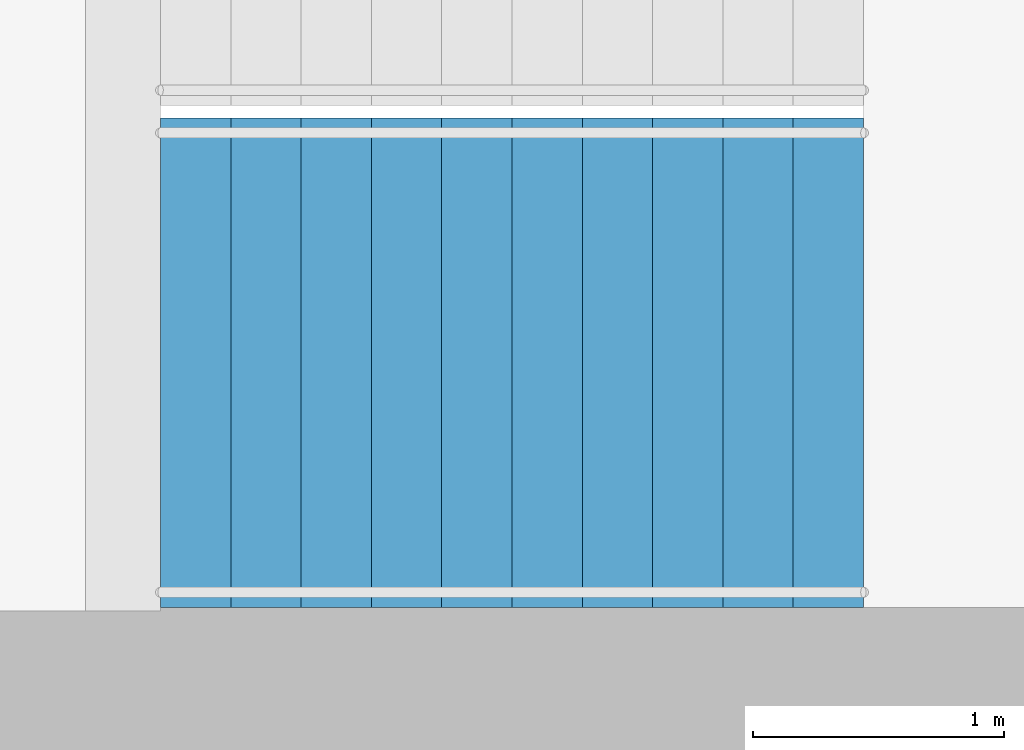
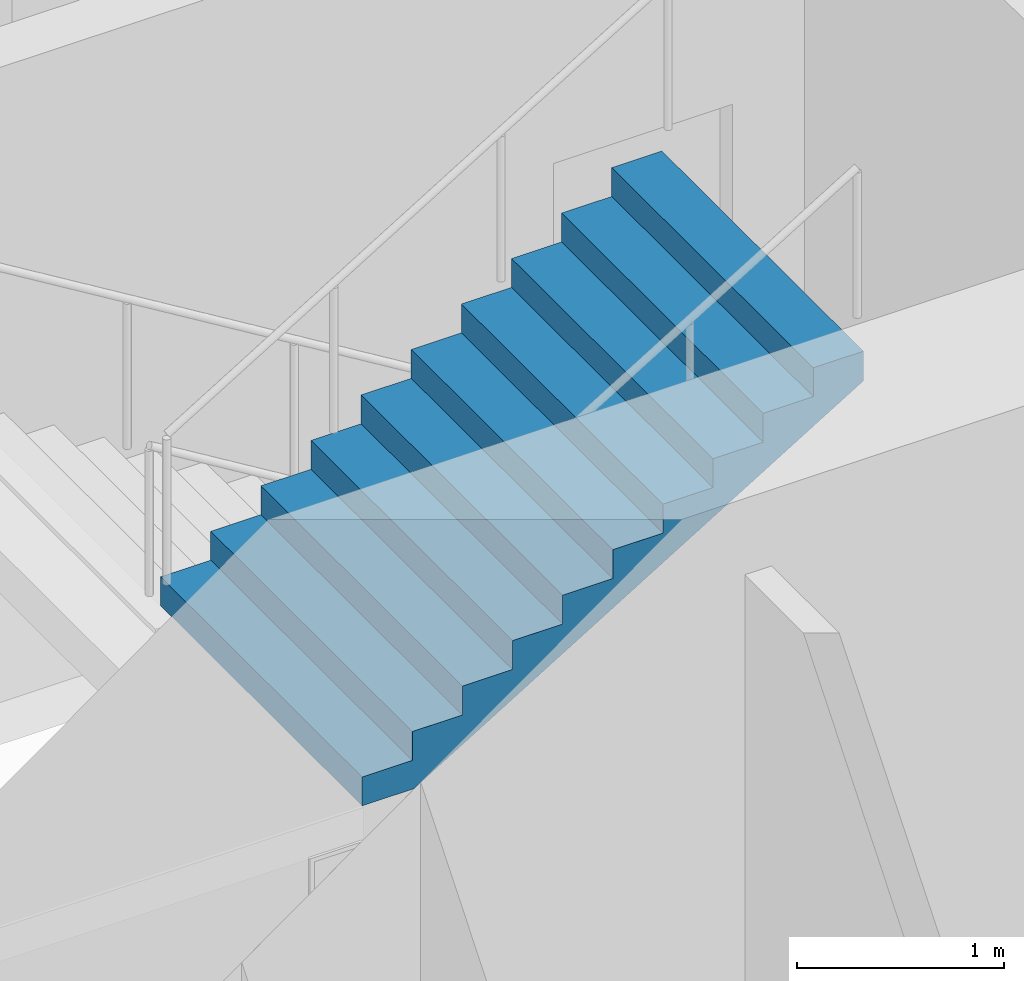
# One storey, part 22 of 24: 1 stair flight, 1 element without a shape of its own.
"""IFC4 building model written with IfcOpenShell, lengths in metres."""

from ifc_helpers import new_model, si_unit, direction, frame, origin, place, context, subcontext, project, spatial, triangles, material, type_object, element, aggregate, save


model = new_model("IFC4")

# Units and contexts
model_context = context("Model", 3, precision=1e-05, world=origin(), true_north=direction((0.0, 1.0)))
body_context = subcontext(model_context, "Body", "Model", "MODEL_VIEW")
ifc_project = project(units=[si_unit("LENGTHUNIT", "METRE"), si_unit("AREAUNIT", "SQUARE_METRE"), si_unit("VOLUMEUNIT", "CUBIC_METRE"), si_unit("PLANEANGLEUNIT", "RADIAN"), si_unit("MASSUNIT", "GRAM", prefix="KILO")], contexts=[model_context])

# Site, building, storey
site_placement = place(None, origin())
site = spatial("IfcSite", under=ifc_project, at=site_placement, CompositionType="ELEMENT")
building_placement = place(site_placement, origin())
building = spatial("IfcBuilding", under=site, at=building_placement, Name="Orbita Commons", CompositionType="ELEMENT")
storey_placement = place(building_placement, frame((0.0, 0.0, 35.199951171875)))
storey = spatial("IfcBuildingStorey", under=building, at=storey_placement, Name="L08", CompositionType="ELEMENT", Elevation=35.199951171875)

# Stair, stair flight
ifc_material_1 = material(Name="Precast concrete C40/50", Category="concrete")
stair_type = type_object("IfcStairType", Name="Exit stair S2 2 flights 11 risers 170", PredefinedType="HALF_TURN_STAIR", material=ifc_material_1)
stair_placement = place(storey_placement, origin())
stair = element("IfcStair", 1, at=stair_placement, inside=storey, type_object=stair_type, Name="Exit stair S2 L08", PredefinedType="HALF_TURN_STAIR")
ifc_material_2 = material(Name="Precast concrete C40/50", Category="concrete")
stair_flight_type = type_object("IfcStairFlightType", Name="Stair flight 11 risers 170 x 280", PredefinedType="STRAIGHT", material=ifc_material_2)
stair_flight_placement = place(storey_placement, frame((60.75, 27.27490234375, 1.875), z_axis=(0.0, 0.0, 1.0), x_axis=(1.0, 0.0, 0.0)))
stair_flight = element("IfcStairFlight", 2, at=stair_flight_placement, type_object=stair_flight_type, Name="S2 flight 2", NumberOfRisers=11, NumberOfTreads=10, PredefinedType="STRAIGHT", RiserHeight=0.170454545, TreadLength=0.28, context=body_context, shape_type="Tessellation", body=[
    triangles([(0.0, 0.974976, 0.0), (0.0, 0.974976, 0.021307), (0.0, 0.81248, 0.021307), (0.0, 0.81248, 0.0), (0.0, 0.649984, 0.021307), (0.0, 0.649984, 0.0), (0.0, 0.487488, 0.021307), (0.0, 0.487488, 0.0), (0.0, 0.324992, 0.021307), (0.0, 0.324992, 0.0), (0.0, 0.162496, 0.021307), (0.0, 0.162496, 0.0), (0.0, 0.0, 0.021307), (0.0, 0.0, 0.0), (0.0, -0.162496, 0.021307), (0.0, -0.162496, 0.0), (0.0, -0.324992, 0.021307), (0.0, -0.324992, 0.0), (0.0, -0.487488, 0.021307), (0.0, -0.487488, 0.0), (0.0, -0.649984, 0.021307), (0.0, -0.649984, 0.0), (0.0, -0.81248, 0.021307), (0.0, -0.81248, 0.0), (0.0, -0.974976, 0.021307), (0.0, -0.974976, 0.0), (0.0, 0.974976, 0.042614), (0.0, 0.81248, 0.042614), (0.0, 0.649984, 0.042614), (0.0, 0.487488, 0.042614), (0.0, 0.324992, 0.042614), (0.0, 0.162496, 0.042614), (0.0, 0.0, 0.042614), (0.0, -0.162496, 0.042614), (0.0, -0.324992, 0.042614), (0.0, -0.487488, 0.042614), (0.0, -0.649984, 0.042614), (0.0, -0.81248, 0.042614), (0.0, -0.974976, 0.042614), (0.0, 0.974976, 0.06392), (0.0, 0.81248, 0.06392), (0.0, 0.649984, 0.06392), (0.0, 0.487488, 0.06392), (0.0, 0.324992, 0.06392), (0.0, 0.162496, 0.06392), (0.0, 0.0, 0.06392), (0.0, -0.162496, 0.06392), (0.0, -0.324992, 0.06392), (0.0, -0.487488, 0.06392), (0.0, -0.649984, 0.06392), (0.0, -0.81248, 0.06392), (0.0, -0.974976, 0.06392), (0.0, 0.974976, 0.085227), (0.0, 0.81248, 0.085227), (0.0, 0.649984, 0.085227), (0.0, 0.487488, 0.085227), (0.0, 0.324992, 0.085227), (0.0, 0.162496, 0.085227), (0.0, 0.0, 0.085227), (0.0, -0.162496, 0.085227), (0.0, -0.324992, 0.085227), (0.0, -0.487488, 0.085227), (0.0, -0.649984, 0.085227), (0.0, -0.81248, 0.085227), (0.0, -0.974976, 0.085227), (0.0, 0.974976, 0.106534), (0.0, 0.81248, 0.106534), (0.0, 0.649984, 0.106534), (0.0, 0.487488, 0.106534), (0.0, 0.324992, 0.106534), (0.0, 0.162496, 0.106534), (0.0, 0.0, 0.106534), (0.0, -0.162496, 0.106534), (0.0, -0.324992, 0.106534), (0.0, -0.487488, 0.106534), (0.0, -0.649984, 0.106534), (0.0, -0.81248, 0.106534), (0.0, -0.974976, 0.106534), (0.0, 0.974976, 0.127841), (0.0, 0.81248, 0.127841), (0.0, 0.649984, 0.127841), (0.0, 0.487488, 0.127841), (0.0, 0.324992, 0.127841), (0.0, 0.162496, 0.127841), (0.0, 0.0, 0.127841), (0.0, -0.162496, 0.127841), (0.0, -0.324992, 0.127841), (0.0, -0.487488, 0.127841), (0.0, -0.649984, 0.127841), (0.0, -0.81248, 0.127841), (0.0, -0.974976, 0.127841), (0.0, 0.974976, 0.149148), (0.0, 0.81248, 0.149148), (0.0, 0.649984, 0.149148), (0.0, 0.487488, 0.149148), (0.0, 0.324992, 0.149148), (0.0, 0.162496, 0.149148), (0.0, 0.0, 0.149148), (0.0, -0.162496, 0.149148), (0.0, -0.324992, 0.149148), (0.0, -0.487488, 0.149148), (0.0, -0.649984, 0.149148), (0.0, -0.81248, 0.149148), (0.0, -0.974976, 0.149148), (0.0, 0.974976, 0.170455), (0.0, 0.81248, 0.170455), (0.0, 0.649984, 0.170455), (0.0, 0.487488, 0.170455), (0.0, 0.324992, 0.170455), (0.0, 0.162496, 0.170455), (0.0, 0.0, 0.170455), (0.0, -0.162496, 0.170455), (0.0, -0.324992, 0.170455), (0.0, -0.487488, 0.170455), (0.0, -0.649984, 0.170455), (0.0, -0.81248, 0.170455), (0.0, -0.974976, 0.170455), (0.28, 0.974976, 0.170455), (0.28, 0.81248, 0.170455), (0.28, 0.649984, 0.170455), (0.28, 0.487488, 0.170455), (0.28, 0.324992, 0.170455), (0.28, 0.162496, 0.170455), (0.28, 0.0, 0.170455), (0.28, -0.162496, 0.170455), (0.28, -0.324992, 0.170455), (0.28, -0.487488, 0.170455), (0.28, -0.649984, 0.170455), (0.28, -0.81248, 0.170455), (0.28, -0.974976, 0.170455), (0.28, 0.974976, 0.340909), (0.28, 0.81248, 0.340909), (0.28, 0.649984, 0.340909), (0.28, 0.487488, 0.340909), (0.28, 0.324992, 0.340909), (0.28, 0.162496, 0.340909), (0.28, 0.0, 0.340909), (0.28, -0.162496, 0.340909), (0.28, -0.324992, 0.340909), (0.28, -0.487488, 0.340909), (0.28, -0.649984, 0.340909), (0.28, -0.81248, 0.340909), (0.28, -0.974976, 0.340909), (0.56, 0.974976, 0.340909), (0.56, 0.81248, 0.340909), (0.56, 0.649984, 0.340909), (0.56, 0.487488, 0.340909), (0.56, 0.324992, 0.340909), (0.56, 0.162496, 0.340909), (0.56, 0.0, 0.340909), (0.56, -0.162496, 0.340909), (0.56, -0.324992, 0.340909), (0.56, -0.487488, 0.340909), (0.56, -0.649984, 0.340909), (0.56, -0.81248, 0.340909), (0.56, -0.974976, 0.340909), (0.56, 0.974976, 0.511364), (0.56, 0.81248, 0.511364), (0.56, 0.649984, 0.511364), (0.56, 0.487488, 0.511364), (0.56, 0.324992, 0.511364), (0.56, 0.162496, 0.511364), (0.56, 0.0, 0.511364), (0.56, -0.162496, 0.511364), (0.56, -0.324992, 0.511364), (0.56, -0.487488, 0.511364), (0.56, -0.649984, 0.511364), (0.56, -0.81248, 0.511364), (0.56, -0.974976, 0.511364), (0.84, 0.974976, 0.511364), (0.84, 0.81248, 0.511364), (0.84, 0.649984, 0.511364), (0.84, 0.487488, 0.511364), (0.84, 0.324992, 0.511364), (0.84, 0.162496, 0.511364), (0.84, 0.0, 0.511364), (0.84, -0.162496, 0.511364), (0.84, -0.324992, 0.511364), (0.84, -0.487488, 0.511364), (0.84, -0.649984, 0.511364), (0.84, -0.81248, 0.511364), (0.84, -0.974976, 0.511364), (0.84, 0.974976, 0.681818), (0.84, 0.81248, 0.681818), (0.84, 0.649984, 0.681818), (0.84, 0.487488, 0.681818), (0.84, 0.324992, 0.681818), (0.84, 0.162496, 0.681818), (0.84, 0.0, 0.681818), (0.84, -0.162496, 0.681818), (0.84, -0.324992, 0.681818), (0.84, -0.487488, 0.681818), (0.84, -0.649984, 0.681818), (0.84, -0.81248, 0.681818), (0.84, -0.974976, 0.681818), (1.12, 0.974976, 0.681818), (1.12, 0.81248, 0.681818), (1.12, 0.649984, 0.681818), (1.12, 0.487488, 0.681818), (1.12, 0.324992, 0.681818), (1.12, 0.162496, 0.681818), (1.12, 0.0, 0.681818), (1.12, -0.162496, 0.681818), (1.12, -0.324992, 0.681818), (1.12, -0.487488, 0.681818), (1.12, -0.649984, 0.681818), (1.12, -0.81248, 0.681818), (1.12, -0.974976, 0.681818), (1.12, 0.974976, 0.852273), (1.12, 0.81248, 0.852273), (1.12, 0.649984, 0.852273), (1.12, 0.487488, 0.852273), (1.12, 0.324992, 0.852273), (1.12, 0.162496, 0.852273), (1.12, 0.0, 0.852273), (1.12, -0.162496, 0.852273), (1.12, -0.324992, 0.852273), (1.12, -0.487488, 0.852273), (1.12, -0.649984, 0.852273), (1.12, -0.81248, 0.852273), (1.12, -0.974976, 0.852273), (1.4, 0.974976, 0.852273), (1.4, 0.81248, 0.852273), (1.4, 0.649984, 0.852273), (1.4, 0.487488, 0.852273), (1.4, 0.324992, 0.852273), (1.4, 0.162496, 0.852273), (1.4, 0.0, 0.852273), (1.4, -0.162496, 0.852273), (1.4, -0.324992, 0.852273), (1.4, -0.487488, 0.852273), (1.4, -0.649984, 0.852273), (1.4, -0.81248, 0.852273), (1.4, -0.974976, 0.852273), (1.4, 0.974976, 1.022727), (1.4, 0.81248, 1.022727), (1.4, 0.649984, 1.022727), (1.4, 0.487488, 1.022727), (1.4, 0.324992, 1.022727), (1.4, 0.162496, 1.022727), (1.4, 0.0, 1.022727), (1.4, -0.162496, 1.022727), (1.4, -0.324992, 1.022727), (1.4, -0.487488, 1.022727), (1.4, -0.649984, 1.022727), (1.4, -0.81248, 1.022727), (1.4, -0.974976, 1.022727), (1.68, 0.974976, 1.022727), (1.68, 0.81248, 1.022727), (1.68, 0.649984, 1.022727), (1.68, 0.487488, 1.022727), (1.68, 0.324992, 1.022727), (1.68, 0.162496, 1.022727), (1.68, 0.0, 1.022727), (1.68, -0.162496, 1.022727), (1.68, -0.324992, 1.022727), (1.68, -0.487488, 1.022727), (1.68, -0.649984, 1.022727), (1.68, -0.81248, 1.022727), (1.68, -0.974976, 1.022727), (1.68, 0.974976, 1.193182), (1.68, 0.81248, 1.193182), (1.68, 0.649984, 1.193182), (1.68, 0.487488, 1.193182), (1.68, 0.324992, 1.193182), (1.68, 0.162496, 1.193182), (1.68, 0.0, 1.193182), (1.68, -0.162496, 1.193182), (1.68, -0.324992, 1.193182), (1.68, -0.487488, 1.193182), (1.68, -0.649984, 1.193182), (1.68, -0.81248, 1.193182), (1.68, -0.974976, 1.193182), (1.96, 0.974976, 1.193182), (1.96, 0.81248, 1.193182), (1.96, 0.649984, 1.193182), (1.96, 0.487488, 1.193182), (1.96, 0.324992, 1.193182), (1.96, 0.162496, 1.193182), (1.96, 0.0, 1.193182), (1.96, -0.162496, 1.193182), (1.96, -0.324992, 1.193182), (1.96, -0.487488, 1.193182), (1.96, -0.649984, 1.193182), (1.96, -0.81248, 1.193182), (1.96, -0.974976, 1.193182), (1.96, 0.974976, 1.363636), (1.96, 0.81248, 1.363636), (1.96, 0.649984, 1.363636), (1.96, 0.487488, 1.363636), (1.96, 0.324992, 1.363636), (1.96, 0.162496, 1.363636), (1.96, 0.0, 1.363636), (1.96, -0.162496, 1.363636), (1.96, -0.324992, 1.363636), (1.96, -0.487488, 1.363636), (1.96, -0.649984, 1.363636), (1.96, -0.81248, 1.363636), (1.96, -0.974976, 1.363636), (2.24, 0.974976, 1.363636), (2.24, 0.81248, 1.363636), (2.24, 0.649984, 1.363636), (2.24, 0.487488, 1.363636), (2.24, 0.324992, 1.363636), (2.24, 0.162496, 1.363636), (2.24, 0.0, 1.363636), (2.24, -0.162496, 1.363636), (2.24, -0.324992, 1.363636), (2.24, -0.487488, 1.363636), (2.24, -0.649984, 1.363636), (2.24, -0.81248, 1.363636), (2.24, -0.974976, 1.363636), (2.24, 0.974976, 1.534091), (2.24, 0.81248, 1.534091), (2.24, 0.649984, 1.534091), (2.24, 0.487488, 1.534091), (2.24, 0.324992, 1.534091), (2.24, 0.162496, 1.534091), (2.24, 0.0, 1.534091), (2.24, -0.162496, 1.534091), (2.24, -0.324992, 1.534091), (2.24, -0.487488, 1.534091), (2.24, -0.649984, 1.534091), (2.24, -0.81248, 1.534091), (2.24, -0.974976, 1.534091), (2.52, 0.974976, 1.534091), (2.52, 0.81248, 1.534091), (2.52, 0.649984, 1.534091), (2.52, 0.487488, 1.534091), (2.52, 0.324992, 1.534091), (2.52, 0.162496, 1.534091), (2.52, 0.0, 1.534091), (2.52, -0.162496, 1.534091), (2.52, -0.324992, 1.534091), (2.52, -0.487488, 1.534091), (2.52, -0.649984, 1.534091), (2.52, -0.81248, 1.534091), (2.52, -0.974976, 1.534091), (2.52, 0.974976, 1.704545), (2.52, 0.81248, 1.704545), (2.52, 0.649984, 1.704545), (2.52, 0.487488, 1.704545), (2.52, 0.324992, 1.704545), (2.52, 0.162496, 1.704545), (2.52, 0.0, 1.704545), (2.52, -0.162496, 1.704545), (2.52, -0.324992, 1.704545), (2.52, -0.487488, 1.704545), (2.52, -0.649984, 1.704545), (2.52, -0.81248, 1.704545), (2.52, -0.974976, 1.704545), (2.8, 0.974976, 1.704545), (2.8, 0.81248, 1.704545), (2.8, 0.649984, 1.704545), (2.8, 0.487488, 1.704545), (2.8, 0.324992, 1.704545), (2.8, 0.162496, 1.704545), (2.8, 0.0, 1.704545), (2.8, -0.162496, 1.704545), (2.8, -0.324992, 1.704545), (2.8, -0.487488, 1.704545), (2.8, -0.649984, 1.704545), (2.8, -0.81248, 1.704545), (2.8, -0.974976, 1.704545), (2.8, 0.974976, 1.682609), (2.8, 0.81248, 1.682609), (2.8, 0.649984, 1.682609), (2.8, 0.487488, 1.682609), (2.8, 0.324992, 1.682609), (2.8, 0.162496, 1.682609), (2.8, 0.0, 1.682609), (2.8, -0.162496, 1.682609), (2.8, -0.324992, 1.682609), (2.8, -0.487488, 1.682609), (2.8, -0.649984, 1.682609), (2.8, -0.81248, 1.682609), (2.8, -0.974976, 1.682609), (2.8, 0.974976, 1.660672), (2.8, 0.81248, 1.660672), (2.8, 0.649984, 1.660672), (2.8, 0.487488, 1.660672), (2.8, 0.324992, 1.660672), (2.8, 0.162496, 1.660672), (2.8, 0.0, 1.660672), (2.8, -0.162496, 1.660672), (2.8, -0.324992, 1.660672), (2.8, -0.487488, 1.660672), (2.8, -0.649984, 1.660672), (2.8, -0.81248, 1.660672), (2.8, -0.974976, 1.660672), (2.8, 0.974976, 1.638735), (2.8, 0.81248, 1.638735), (2.8, 0.649984, 1.638735), (2.8, 0.487488, 1.638735), (2.8, 0.324992, 1.638735), (2.8, 0.162496, 1.638735), (2.8, 0.0, 1.638735), (2.8, -0.162496, 1.638735), (2.8, -0.324992, 1.638735), (2.8, -0.487488, 1.638735), (2.8, -0.649984, 1.638735), (2.8, -0.81248, 1.638735), (2.8, -0.974976, 1.638735), (2.8, 0.974976, 1.616798), (2.8, 0.81248, 1.616798), (2.8, 0.649984, 1.616798), (2.8, 0.487488, 1.616798), (2.8, 0.324992, 1.616798), (2.8, 0.162496, 1.616798), (2.8, 0.0, 1.616798), (2.8, -0.162496, 1.616798), (2.8, -0.324992, 1.616798), (2.8, -0.487488, 1.616798), (2.8, -0.649984, 1.616798), (2.8, -0.81248, 1.616798), (2.8, -0.974976, 1.616798), (2.8, 0.974976, 1.594861), (2.8, 0.81248, 1.594861), (2.8, 0.649984, 1.594861), (2.8, 0.487488, 1.594861), (2.8, 0.324992, 1.594861), (2.8, 0.162496, 1.594861), (2.8, 0.0, 1.594861), (2.8, -0.162496, 1.594861), (2.8, -0.324992, 1.594861), (2.8, -0.487488, 1.594861), (2.8, -0.649984, 1.594861), (2.8, -0.81248, 1.594861), (2.8, -0.974976, 1.594861), (2.8, 0.974976, 1.572925), (2.8, 0.81248, 1.572925), (2.8, 0.649984, 1.572925), (2.8, 0.487488, 1.572925), (2.8, 0.324992, 1.572925), (2.8, 0.162496, 1.572925), (2.8, 0.0, 1.572925), (2.8, -0.162496, 1.572925), (2.8, -0.324992, 1.572925), (2.8, -0.487488, 1.572925), (2.8, -0.649984, 1.572925), (2.8, -0.81248, 1.572925), (2.8, -0.974976, 1.572925), (2.8, 0.974976, 1.550988), (2.8, 0.81248, 1.550988), (2.8, 0.649984, 1.550988), (2.8, 0.487488, 1.550988), (2.8, 0.324992, 1.550988), (2.8, 0.162496, 1.550988), (2.8, 0.0, 1.550988), (2.8, -0.162496, 1.550988), (2.8, -0.324992, 1.550988), (2.8, -0.487488, 1.550988), (2.8, -0.649984, 1.550988), (2.8, -0.81248, 1.550988), (2.8, -0.974976, 1.550988), (2.8, 0.974976, 1.529051), (2.8, 0.81248, 1.529051), (2.8, 0.649984, 1.529051), (2.8, 0.487488, 1.529051), (2.8, 0.324992, 1.529051), (2.8, 0.162496, 1.529051), (2.8, 0.0, 1.529051), (2.8, -0.162496, 1.529051), (2.8, -0.324992, 1.529051), (2.8, -0.487488, 1.529051), (2.8, -0.649984, 1.529051), (2.8, -0.81248, 1.529051), (2.8, -0.974976, 1.529051), (0.288279, 0.974976, 0.0), (0.288279, 0.81248, 0.0), (0.288279, 0.649984, 0.0), (0.288279, 0.487488, 0.0), (0.288279, 0.324992, 0.0), (0.288279, 0.162496, 0.0), (0.288279, 0.0, 0.0), (0.288279, -0.162496, 0.0), (0.288279, -0.324992, 0.0), (0.288279, -0.487488, 0.0), (0.288279, -0.649984, 0.0), (0.288279, -0.81248, 0.0), (0.288279, -0.974976, 0.0)], [[3, 2, 1], [4, 3, 1], [5, 3, 4], [6, 5, 4], [7, 5, 6], [8, 7, 6], [9, 7, 8], [10, 9, 8], [11, 9, 10], [12, 11, 10], [13, 11, 12], [14, 13, 12], [15, 13, 14], [16, 15, 14], [17, 15, 16], [18, 17, 16], [19, 17, 18], [20, 19, 18], [21, 19, 20], [22, 21, 20], [23, 21, 22], [24, 23, 22], [25, 23, 24], [26, 25, 24], [28, 27, 2], [3, 28, 2], [29, 28, 3], [5, 29, 3], [30, 29, 5], [7, 30, 5], [31, 30, 7], [9, 31, 7], [32, 31, 9], [11, 32, 9], [33, 32, 11], [13, 33, 11], [34, 33, 13], [15, 34, 13], [35, 34, 15], [17, 35, 15], [36, 35, 17], [19, 36, 17], [37, 36, 19], [21, 37, 19], [38, 37, 21], [23, 38, 21], [39, 38, 23], [25, 39, 23], [41, 40, 27], [28, 41, 27], [42, 41, 28], [29, 42, 28], [43, 42, 29], [30, 43, 29], [44, 43, 30], [31, 44, 30], [45, 44, 31], [32, 45, 31], [46, 45, 32], [33, 46, 32], [47, 46, 33], [34, 47, 33], [48, 47, 34], [35, 48, 34], [49, 48, 35], [36, 49, 35], [50, 49, 36], [37, 50, 36], [51, 50, 37], [38, 51, 37], [52, 51, 38], [39, 52, 38], [54, 53, 40], [41, 54, 40], [55, 54, 41], [42, 55, 41], [56, 55, 42], [43, 56, 42], [57, 56, 43], [44, 57, 43], [58, 57, 44], [45, 58, 44], [59, 58, 45], [46, 59, 45], [60, 59, 46], [47, 60, 46], [61, 60, 47], [48, 61, 47], [62, 61, 48], [49, 62, 48], [63, 62, 49], [50, 63, 49], [64, 63, 50], [51, 64, 50], [65, 64, 51], [52, 65, 51], [67, 66, 53], [54, 67, 53], [68, 67, 54], [55, 68, 54], [69, 68, 55], [56, 69, 55], [70, 69, 56], [57, 70, 56], [71, 70, 57], [58, 71, 57], [72, 71, 58], [59, 72, 58], [73, 72, 59], [60, 73, 59], [74, 73, 60], [61, 74, 60], [75, 74, 61], [62, 75, 61], [76, 75, 62], [63, 76, 62], [77, 76, 63], [64, 77, 63], [78, 77, 64], [65, 78, 64], [80, 79, 66], [67, 80, 66], [81, 80, 67], [68, 81, 67], [82, 81, 68], [69, 82, 68], [83, 82, 69], [70, 83, 69], [84, 83, 70], [71, 84, 70], [85, 84, 71], [72, 85, 71], [86, 85, 72], [73, 86, 72], [87, 86, 73], [74, 87, 73], [88, 87, 74], [75, 88, 74], [89, 88, 75], [76, 89, 75], [90, 89, 76], [77, 90, 76], [91, 90, 77], [78, 91, 77], [93, 92, 79], [80, 93, 79], [94, 93, 80], [81, 94, 80], [95, 94, 81], [82, 95, 81], [96, 95, 82], [83, 96, 82], [97, 96, 83], [84, 97, 83], [98, 97, 84], [85, 98, 84], [99, 98, 85], [86, 99, 85], [100, 99, 86], [87, 100, 86], [101, 100, 87], [88, 101, 87], [102, 101, 88], [89, 102, 88], [103, 102, 89], [90, 103, 89], [104, 103, 90], [91, 104, 90], [106, 105, 92], [93, 106, 92], [107, 106, 93], [94, 107, 93], [108, 107, 94], [95, 108, 94], [109, 108, 95], [96, 109, 95], [110, 109, 96], [97, 110, 96], [111, 110, 97], [98, 111, 97], [112, 111, 98], [99, 112, 98], [113, 112, 99], [100, 113, 99], [114, 113, 100], [101, 114, 100], [115, 114, 101], [102, 115, 101], [116, 115, 102], [103, 116, 102], [117, 116, 103], [104, 117, 103], [119, 118, 105], [106, 119, 105], [120, 119, 106], [107, 120, 106], [121, 120, 107], [108, 121, 107], [122, 121, 108], [109, 122, 108], [123, 122, 109], [110, 123, 109], [124, 123, 110], [111, 124, 110], [125, 124, 111], [112, 125, 111], [126, 125, 112], [113, 126, 112], [127, 126, 113], [114, 127, 113], [128, 127, 114], [115, 128, 114], [129, 128, 115], [116, 129, 115], [130, 129, 116], [117, 130, 116], [132, 131, 118], [119, 132, 118], [133, 132, 119], [120, 133, 119], [134, 133, 120], [121, 134, 120], [135, 134, 121], [122, 135, 121], [136, 135, 122], [123, 136, 122], [137, 136, 123], [124, 137, 123], [138, 137, 124], [125, 138, 124], [139, 138, 125], [126, 139, 125], [140, 139, 126], [127, 140, 126], [141, 140, 127], [128, 141, 127], [142, 141, 128], [129, 142, 128], [143, 142, 129], [130, 143, 129], [145, 144, 131], [132, 145, 131], [146, 145, 132], [133, 146, 132], [147, 146, 133], [134, 147, 133], [148, 147, 134], [135, 148, 134], [149, 148, 135], [136, 149, 135], [150, 149, 136], [137, 150, 136], [151, 150, 137], [138, 151, 137], [152, 151, 138], [139, 152, 138], [153, 152, 139], [140, 153, 139], [154, 153, 140], [141, 154, 140], [155, 154, 141], [142, 155, 141], [156, 155, 142], [143, 156, 142], [158, 157, 144], [145, 158, 144], [159, 158, 145], [146, 159, 145], [160, 159, 146], [147, 160, 146], [161, 160, 147], [148, 161, 147], [162, 161, 148], [149, 162, 148], [163, 162, 149], [150, 163, 149], [164, 163, 150], [151, 164, 150], [165, 164, 151], [152, 165, 151], [166, 165, 152], [153, 166, 152], [167, 166, 153], [154, 167, 153], [168, 167, 154], [155, 168, 154], [169, 168, 155], [156, 169, 155], [171, 170, 157], [158, 171, 157], [172, 171, 158], [159, 172, 158], [173, 172, 159], [160, 173, 159], [174, 173, 160], [161, 174, 160], [175, 174, 161], [162, 175, 161], [176, 175, 162], [163, 176, 162], [177, 176, 163], [164, 177, 163], [178, 177, 164], [165, 178, 164], [179, 178, 165], [166, 179, 165], [180, 179, 166], [167, 180, 166], [181, 180, 167], [168, 181, 167], [182, 181, 168], [169, 182, 168], [184, 183, 170], [171, 184, 170], [185, 184, 171], [172, 185, 171], [186, 185, 172], [173, 186, 172], [187, 186, 173], [174, 187, 173], [188, 187, 174], [175, 188, 174], [189, 188, 175], [176, 189, 175], [190, 189, 176], [177, 190, 176], [191, 190, 177], [178, 191, 177], [192, 191, 178], [179, 192, 178], [193, 192, 179], [180, 193, 179], [194, 193, 180], [181, 194, 180], [195, 194, 181], [182, 195, 181], [197, 196, 183], [184, 197, 183], [198, 197, 184], [185, 198, 184], [199, 198, 185], [186, 199, 185], [200, 199, 186], [187, 200, 186], [201, 200, 187], [188, 201, 187], [202, 201, 188], [189, 202, 188], [203, 202, 189], [190, 203, 189], [204, 203, 190], [191, 204, 190], [205, 204, 191], [192, 205, 191], [206, 205, 192], [193, 206, 192], [207, 206, 193], [194, 207, 193], [208, 207, 194], [195, 208, 194], [210, 209, 196], [197, 210, 196], [211, 210, 197], [198, 211, 197], [212, 211, 198], [199, 212, 198], [213, 212, 199], [200, 213, 199], [214, 213, 200], [201, 214, 200], [215, 214, 201], [202, 215, 201], [216, 215, 202], [203, 216, 202], [217, 216, 203], [204, 217, 203], [218, 217, 204], [205, 218, 204], [219, 218, 205], [206, 219, 205], [220, 219, 206], [207, 220, 206], [221, 220, 207], [208, 221, 207], [223, 222, 209], [210, 223, 209], [224, 223, 210], [211, 224, 210], [225, 224, 211], [212, 225, 211], [226, 225, 212], [213, 226, 212], [227, 226, 213], [214, 227, 213], [228, 227, 214], [215, 228, 214], [229, 228, 215], [216, 229, 215], [230, 229, 216], [217, 230, 216], [231, 230, 217], [218, 231, 217], [232, 231, 218], [219, 232, 218], [233, 232, 219], [220, 233, 219], [234, 233, 220], [221, 234, 220], [236, 235, 222], [223, 236, 222], [237, 236, 223], [224, 237, 223], [238, 237, 224], [225, 238, 224], [239, 238, 225], [226, 239, 225], [240, 239, 226], [227, 240, 226], [241, 240, 227], [228, 241, 227], [242, 241, 228], [229, 242, 228], [243, 242, 229], [230, 243, 229], [244, 243, 230], [231, 244, 230], [245, 244, 231], [232, 245, 231], [246, 245, 232], [233, 246, 232], [247, 246, 233], [234, 247, 233], [249, 248, 235], [236, 249, 235], [250, 249, 236], [237, 250, 236], [251, 250, 237], [238, 251, 237], [252, 251, 238], [239, 252, 238], [253, 252, 239], [240, 253, 239], [254, 253, 240], [241, 254, 240], [255, 254, 241], [242, 255, 241], [256, 255, 242], [243, 256, 242], [257, 256, 243], [244, 257, 243], [258, 257, 244], [245, 258, 244], [259, 258, 245], [246, 259, 245], [260, 259, 246], [247, 260, 246], [262, 261, 248], [249, 262, 248], [263, 262, 249], [250, 263, 249], [264, 263, 250], [251, 264, 250], [265, 264, 251], [252, 265, 251], [266, 265, 252], [253, 266, 252], [267, 266, 253], [254, 267, 253], [268, 267, 254], [255, 268, 254], [269, 268, 255], [256, 269, 255], [270, 269, 256], [257, 270, 256], [271, 270, 257], [258, 271, 257], [272, 271, 258], [259, 272, 258], [273, 272, 259], [260, 273, 259], [275, 274, 261], [262, 275, 261], [276, 275, 262], [263, 276, 262], [277, 276, 263], [264, 277, 263], [278, 277, 264], [265, 278, 264], [279, 278, 265], [266, 279, 265], [280, 279, 266], [267, 280, 266], [281, 280, 267], [268, 281, 267], [282, 281, 268], [269, 282, 268], [283, 282, 269], [270, 283, 269], [284, 283, 270], [271, 284, 270], [285, 284, 271], [272, 285, 271], [286, 285, 272], [273, 286, 272], [288, 287, 274], [275, 288, 274], [289, 288, 275], [276, 289, 275], [290, 289, 276], [277, 290, 276], [291, 290, 277], [278, 291, 277], [292, 291, 278], [279, 292, 278], [293, 292, 279], [280, 293, 279], [294, 293, 280], [281, 294, 280], [295, 294, 281], [282, 295, 281], [296, 295, 282], [283, 296, 282], [297, 296, 283], [284, 297, 283], [298, 297, 284], [285, 298, 284], [299, 298, 285], [286, 299, 285], [301, 300, 287], [288, 301, 287], [302, 301, 288], [289, 302, 288], [303, 302, 289], [290, 303, 289], [304, 303, 290], [291, 304, 290], [305, 304, 291], [292, 305, 291], [306, 305, 292], [293, 306, 292], [307, 306, 293], [294, 307, 293], [308, 307, 294], [295, 308, 294], [309, 308, 295], [296, 309, 295], [310, 309, 296], [297, 310, 296], [311, 310, 297], [298, 311, 297], [312, 311, 298], [299, 312, 298], [314, 313, 300], [301, 314, 300], [315, 314, 301], [302, 315, 301], [316, 315, 302], [303, 316, 302], [317, 316, 303], [304, 317, 303], [318, 317, 304], [305, 318, 304], [319, 318, 305], [306, 319, 305], [320, 319, 306], [307, 320, 306], [321, 320, 307], [308, 321, 307], [322, 321, 308], [309, 322, 308], [323, 322, 309], [310, 323, 309], [324, 323, 310], [311, 324, 310], [325, 324, 311], [312, 325, 311], [327, 326, 313], [314, 327, 313], [328, 327, 314], [315, 328, 314], [329, 328, 315], [316, 329, 315], [330, 329, 316], [317, 330, 316], [331, 330, 317], [318, 331, 317], [332, 331, 318], [319, 332, 318], [333, 332, 319], [320, 333, 319], [334, 333, 320], [321, 334, 320], [335, 334, 321], [322, 335, 321], [336, 335, 322], [323, 336, 322], [337, 336, 323], [324, 337, 323], [338, 337, 324], [325, 338, 324], [340, 339, 326], [327, 340, 326], [341, 340, 327], [328, 341, 327], [342, 341, 328], [329, 342, 328], [343, 342, 329], [330, 343, 329], [344, 343, 330], [331, 344, 330], [345, 344, 331], [332, 345, 331], [346, 345, 332], [333, 346, 332], [347, 346, 333], [334, 347, 333], [348, 347, 334], [335, 348, 334], [349, 348, 335], [336, 349, 335], [350, 349, 336], [337, 350, 336], [351, 350, 337], [338, 351, 337], [353, 352, 339], [340, 353, 339], [354, 353, 340], [341, 354, 340], [355, 354, 341], [342, 355, 341], [356, 355, 342], [343, 356, 342], [357, 356, 343], [344, 357, 343], [358, 357, 344], [345, 358, 344], [359, 358, 345], [346, 359, 345], [360, 359, 346], [347, 360, 346], [361, 360, 347], [348, 361, 347], [362, 361, 348], [349, 362, 348], [363, 362, 349], [350, 363, 349], [364, 363, 350], [351, 364, 350], [366, 365, 352], [353, 366, 352], [367, 366, 353], [354, 367, 353], [368, 367, 354], [355, 368, 354], [369, 368, 355], [356, 369, 355], [370, 369, 356], [357, 370, 356], [371, 370, 357], [358, 371, 357], [372, 371, 358], [359, 372, 358], [373, 372, 359], [360, 373, 359], [374, 373, 360], [361, 374, 360], [375, 374, 361], [362, 375, 361], [376, 375, 362], [363, 376, 362], [377, 376, 363], [364, 377, 363], [379, 378, 365], [366, 379, 365], [380, 379, 366], [367, 380, 366], [381, 380, 367], [368, 381, 367], [382, 381, 368], [369, 382, 368], [383, 382, 369], [370, 383, 369], [384, 383, 370], [371, 384, 370], [385, 384, 371], [372, 385, 371], [386, 385, 372], [373, 386, 372], [387, 386, 373], [374, 387, 373], [388, 387, 374], [375, 388, 374], [389, 388, 375], [376, 389, 375], [390, 389, 376], [377, 390, 376], [392, 391, 378], [379, 392, 378], [393, 392, 379], [380, 393, 379], [394, 393, 380], [381, 394, 380], [395, 394, 381], [382, 395, 381], [396, 395, 382], [383, 396, 382], [397, 396, 383], [384, 397, 383], [398, 397, 384], [385, 398, 384], [399, 398, 385], [386, 399, 385], [400, 399, 386], [387, 400, 386], [401, 400, 387], [388, 401, 387], [402, 401, 388], [389, 402, 388], [403, 402, 389], [390, 403, 389], [405, 404, 391], [392, 405, 391], [406, 405, 392], [393, 406, 392], [407, 406, 393], [394, 407, 393], [408, 407, 394], [395, 408, 394], [409, 408, 395], [396, 409, 395], [410, 409, 396], [397, 410, 396], [411, 410, 397], [398, 411, 397], [412, 411, 398], [399, 412, 398], [413, 412, 399], [400, 413, 399], [414, 413, 400], [401, 414, 400], [415, 414, 401], [402, 415, 401], [416, 415, 402], [403, 416, 402], [418, 417, 404], [405, 418, 404], [419, 418, 405], [406, 419, 405], [420, 419, 406], [407, 420, 406], [421, 420, 407], [408, 421, 407], [422, 421, 408], [409, 422, 408], [423, 422, 409], [410, 423, 409], [424, 423, 410], [411, 424, 410], [425, 424, 411], [412, 425, 411], [426, 425, 412], [413, 426, 412], [427, 426, 413], [414, 427, 413], [428, 427, 414], [415, 428, 414], [429, 428, 415], [416, 429, 415], [431, 430, 417], [418, 431, 417], [432, 431, 418], [419, 432, 418], [433, 432, 419], [420, 433, 419], [434, 433, 420], [421, 434, 420], [435, 434, 421], [422, 435, 421], [436, 435, 422], [423, 436, 422], [437, 436, 423], [424, 437, 423], [438, 437, 424], [425, 438, 424], [439, 438, 425], [426, 439, 425], [440, 439, 426], [427, 440, 426], [441, 440, 427], [428, 441, 427], [442, 441, 428], [429, 442, 428], [444, 443, 430], [431, 444, 430], [445, 444, 431], [432, 445, 431], [446, 445, 432], [433, 446, 432], [447, 446, 433], [434, 447, 433], [448, 447, 434], [435, 448, 434], [449, 448, 435], [436, 449, 435], [450, 449, 436], [437, 450, 436], [451, 450, 437], [438, 451, 437], [452, 451, 438], [439, 452, 438], [453, 452, 439], [440, 453, 439], [454, 453, 440], [441, 454, 440], [455, 454, 441], [442, 455, 441], [457, 456, 443], [444, 457, 443], [458, 457, 444], [445, 458, 444], [459, 458, 445], [446, 459, 445], [460, 459, 446], [447, 460, 446], [461, 460, 447], [448, 461, 447], [462, 461, 448], [449, 462, 448], [463, 462, 449], [450, 463, 449], [464, 463, 450], [451, 464, 450], [465, 464, 451], [452, 465, 451], [466, 465, 452], [453, 466, 452], [467, 466, 453], [454, 467, 453], [468, 467, 454], [455, 468, 454], [470, 469, 456], [457, 470, 456], [471, 470, 457], [458, 471, 457], [472, 471, 458], [459, 472, 458], [473, 472, 459], [460, 473, 459], [474, 473, 460], [461, 474, 460], [475, 474, 461], [462, 475, 461], [476, 475, 462], [463, 476, 462], [477, 476, 463], [464, 477, 463], [478, 477, 464], [465, 478, 464], [479, 478, 465], [466, 479, 465], [480, 479, 466], [467, 480, 466], [481, 480, 467], [468, 481, 467], [4, 1, 469], [470, 4, 469], [6, 4, 470], [471, 6, 470], [8, 6, 471], [472, 8, 471], [10, 8, 472], [473, 10, 472], [12, 10, 473], [474, 12, 473], [14, 12, 474], [475, 14, 474], [16, 14, 475], [476, 16, 475], [18, 16, 476], [477, 18, 476], [20, 18, 477], [478, 20, 477], [22, 20, 478], [479, 22, 478], [24, 22, 479], [480, 24, 479], [26, 24, 480], [481, 26, 480], [456, 469, 1], [26, 481, 468], [443, 456, 1], [26, 468, 455], [430, 443, 1], [26, 455, 442], [417, 430, 1], [26, 442, 429], [404, 417, 1], [26, 429, 416], [391, 404, 1], [26, 416, 403], [378, 391, 1], [26, 403, 390], [365, 378, 1], [26, 390, 377], [339, 352, 365], [377, 364, 351], [326, 339, 365], [377, 351, 338], [300, 313, 326], [338, 325, 312], [300, 326, 365], [377, 338, 312], [274, 287, 300], [312, 299, 286], [274, 300, 365], [377, 312, 286], [248, 261, 274], [286, 273, 260], [248, 274, 365], [377, 286, 260], [222, 235, 248], [260, 247, 234], [222, 248, 365], [377, 260, 234], [196, 209, 222], [234, 221, 208], [196, 222, 365], [377, 234, 208], [170, 183, 196], [208, 195, 182], [170, 196, 365], [377, 208, 182], [144, 157, 170], [182, 169, 156], [144, 170, 365], [377, 182, 156], [118, 131, 144], [156, 143, 130], [118, 144, 365], [377, 156, 130], [118, 365, 1], [26, 377, 130], [92, 105, 118], [130, 117, 104], [79, 92, 118], [130, 104, 91], [66, 79, 118], [130, 91, 78], [53, 66, 118], [130, 78, 65], [40, 53, 118], [130, 65, 52], [27, 40, 118], [130, 52, 39], [2, 27, 118], [130, 39, 25], [1, 2, 118], [130, 25, 26]], closed=True),
])
aggregate(stair, [stair_flight])

save(model, "model.ifc")
